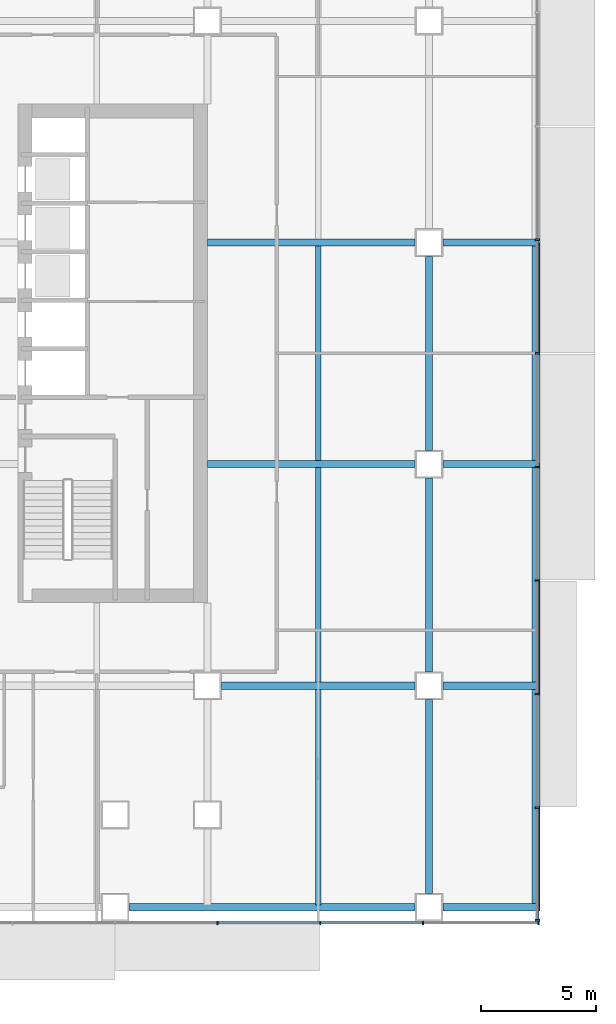
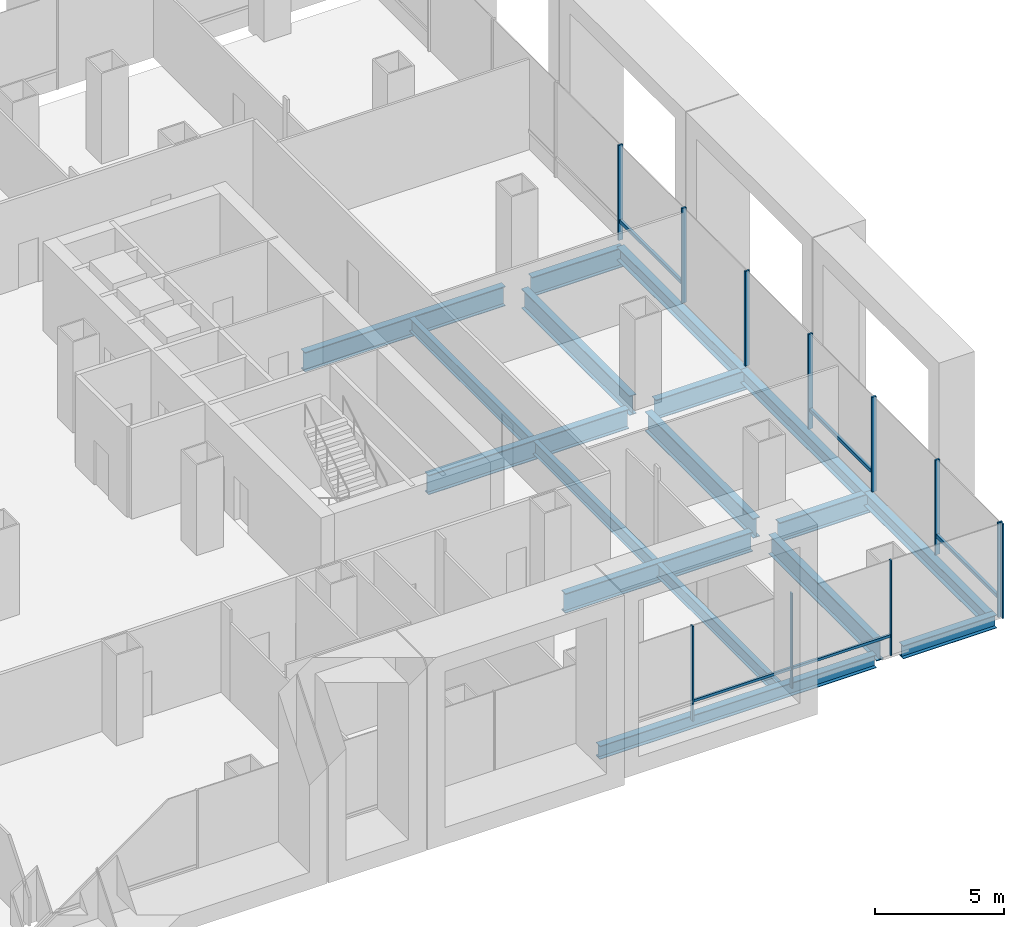
# One storey, part 10 of 23: 17 beams, 16 members, 2 elements without a shape of their own.
"""IFC4 building model written with IfcOpenShell, lengths in metres."""

from ifc_helpers import new_model, si_unit, direction, frame, origin, origin_2d, place, context, subcontext, project, spatial, rectangle, i_section, extrude, material, material_profile, profile_set, type_object, element, aggregate, save


model = new_model("IFC4")

# Units and contexts
model_context = context("Model", 3, precision=1e-05, world=origin(), true_north=direction((0.0, 1.0)))
body_context = subcontext(model_context, "Body", "Model", "MODEL_VIEW")
ifc_project = project(units=[si_unit("LENGTHUNIT", "METRE"), si_unit("AREAUNIT", "SQUARE_METRE"), si_unit("VOLUMEUNIT", "CUBIC_METRE"), si_unit("PLANEANGLEUNIT", "RADIAN"), si_unit("MASSUNIT", "GRAM", prefix="KILO")], contexts=[model_context])

# Site, building, storey
site_placement = place(None, origin())
site = spatial("IfcSite", under=ifc_project, at=site_placement, CompositionType="ELEMENT")
building_placement = place(site_placement, origin())
building = spatial("IfcBuilding", under=site, at=building_placement, Name="Cobrizo Arcos Hotel Tower", CompositionType="ELEMENT")
storey_placement = place(building_placement, frame((0.0, 0.0, 15.5)))
storey = spatial("IfcBuildingStorey", under=building, at=storey_placement, Name="L02", CompositionType="ELEMENT", Elevation=15.5)

# Curtain wall, members
ifc_material_1 = material(Name="Aluminium 6063-T6 anodised bronze", Category="aluminium")
curtain_wall_type_1 = type_object("IfcCurtainWallType", Name="CW-A guest facade", PredefinedType="NOTDEFINED", material=ifc_material_1)
curtain_wall_1_placement = place(storey_placement, origin())
curtain_wall_1 = element("IfcCurtainWall", 1, at=curtain_wall_1_placement, inside=storey, type_object=curtain_wall_type_1, Name="CW-A L02 S face", PredefinedType="NOTDEFINED")
ifc_material_profile_1 = material_profile(ifc_material_1, rectangle(XDim=0.14990234375, YDim=0.06005859375, at=origin_2d()), Name="CW-A mullion 150x60")
ifc_profile_set_1 = profile_set([ifc_material_profile_1], Name="Aluminium 6063-T6 anodised bronze")
member_type_1 = type_object("IfcMemberType", Name="CW-A mullion 150x60", PredefinedType="MULLION", material=ifc_profile_set_1)
member_1_placement = place(storey_placement, frame((24.4443359375, -24.675048828125, 0.0), z_axis=(0.0, 0.0, 1.0), x_axis=(0.0, -1.0, 0.0)))
member_1 = element("IfcMember", 2, at=member_1_placement, type_object=member_type_1, Name="CW-A mullion 15", PredefinedType="MULLION", context=body_context, shape_type="SweptSolid", body=[
    extrude(rectangle(XDim=0.14990234375, YDim=0.06005859375, at=origin_2d()), origin(), (0.0, 0.0, 1.0), 4.5),
])
member_2_placement = place(storey_placement, frame((28.888916015625, -24.675048828125, 0.0), z_axis=(0.0, 0.0, 1.0), x_axis=(0.0, -1.0, 0.0)))
member_2 = element("IfcMember", 3, at=member_2_placement, type_object=member_type_1, Name="CW-A mullion 16", PredefinedType="MULLION", context=body_context, shape_type="SweptSolid", body=[
    extrude(rectangle(XDim=0.14990234375, YDim=0.06005859375, at=origin_2d()), origin(), (0.0, 0.0, 1.0), 4.5),
])
member_3_placement = place(storey_placement, frame((33.333251953125, -24.675048828125, 0.0), z_axis=(0.0, 0.0, 1.0), x_axis=(0.0, -1.0, 0.0)))
member_3 = element("IfcMember", 4, at=member_3_placement, type_object=member_type_1, Name="CW-A mullion 17", PredefinedType="MULLION", context=body_context, shape_type="SweptSolid", body=[
    extrude(rectangle(XDim=0.14990234375, YDim=0.06005859375, at=origin_2d()), origin(), (0.0, 0.0, 1.0), 4.5),
])
member_4_placement = place(storey_placement, frame((38.344970703125, -24.675048828125, 0.0), z_axis=(0.0, 0.0, 1.0), x_axis=(0.0, -1.0, 0.0)))
member_4 = element("IfcMember", 5, at=member_4_placement, type_object=member_type_1, Name="CW-A mullion 18", PredefinedType="MULLION", context=body_context, shape_type="SweptSolid", body=[
    extrude(rectangle(XDim=0.14990234375, YDim=0.06005859375, at=origin_2d()), origin(), (0.0, 0.0, 1.0), 4.5),
])
ifc_material_profile_2 = material_profile(ifc_material_1, rectangle(XDim=0.10009765625, YDim=0.1201171875, at=origin_2d()), Name="CW-A transom 120x100")
ifc_profile_set_2 = profile_set([ifc_material_profile_2], Name="Aluminium 6063-T6 anodised bronze")
member_type_2 = type_object("IfcMemberType", Name="CW-A transom 120x100", PredefinedType="USERDEFINED", material=ifc_profile_set_2)
member_5_placement = place(storey_placement, frame((24.474365234375, -24.675048828125, 0.929931640625), z_axis=(1.0, 0.0, 0.0), x_axis=(0.0, 1.0, 0.0)))
member_5 = element("IfcMember", 6, at=member_5_placement, type_object=member_type_2, Name="CW-A transom 158", ObjectType="TRANSOM", PredefinedType="USERDEFINED", context=body_context, shape_type="SweptSolid", body=[
    extrude(rectangle(XDim=0.10009765625, YDim=0.1201171875, at=origin_2d()), origin(), (0.0, 0.0, 1.0), 4.384521484375),
])
member_6_placement = place(storey_placement, frame((28.9189453125, -24.675048828125, 0.929931640625), z_axis=(1.0, 0.0, 0.0), x_axis=(0.0, 1.0, 0.0)))
member_6 = element("IfcMember", 7, at=member_6_placement, type_object=member_type_2, Name="CW-A transom 159", ObjectType="TRANSOM", PredefinedType="USERDEFINED", context=body_context, shape_type="SweptSolid", body=[
    extrude(rectangle(XDim=0.10009765625, YDim=0.1201171875, at=origin_2d()), origin(), (0.0, 0.0, 1.0), 4.38427734375),
])
aggregate(curtain_wall_1, [member_1, member_2, member_3, member_4, member_5, member_6])

curtain_wall_type_2 = type_object("IfcCurtainWallType", Name="CW-B podium glazing", PredefinedType="NOTDEFINED", material=ifc_material_1)
curtain_wall_2_placement = place(storey_placement, origin())
curtain_wall_2 = element("IfcCurtainWall", 8, at=curtain_wall_2_placement, inside=storey, type_object=curtain_wall_type_2, Name="CW-B L02 E face", PredefinedType="NOTDEFINED")
ifc_material_profile_3 = material_profile(ifc_material_1, rectangle(XDim=0.199951171875, YDim=0.080078125, at=origin_2d()), Name="CW-B mullion 200x80")
ifc_profile_set_3 = profile_set([ifc_material_profile_3], Name="Aluminium 6063-T6 anodised bronze")
member_type_3 = type_object("IfcMemberType", Name="CW-B mullion 200x80", PredefinedType="MULLION", material=ifc_profile_set_3)
member_7_placement = place(storey_placement, frame((38.300048828125, -24.56005859375, 0.0), z_axis=(0.0, 0.0, 1.0), x_axis=(1.0, 0.0, 0.0)))
member_7 = element("IfcMember", 9, at=member_7_placement, type_object=member_type_3, Name="CW-B mullion 1", PredefinedType="MULLION", context=body_context, shape_type="SweptSolid", body=[
    extrude(rectangle(XDim=0.199951171875, YDim=0.080078125, at=origin_2d()), origin(), (0.0, 0.0, 1.0), 4.5),
])
member_8_placement = place(storey_placement, frame((38.300048828125, -19.679931640625, 0.0), z_axis=(0.0, 0.0, 1.0), x_axis=(1.0, 0.0, 0.0)))
member_8 = element("IfcMember", 10, at=member_8_placement, type_object=member_type_3, Name="CW-B mullion 2", PredefinedType="MULLION", context=body_context, shape_type="SweptSolid", body=[
    extrude(rectangle(XDim=0.199951171875, YDim=0.080078125, at=origin_2d()), origin(), (0.0, 0.0, 1.0), 4.5),
])
member_9_placement = place(storey_placement, frame((38.300048828125, -14.760009765625, 0.0), z_axis=(0.0, 0.0, 1.0), x_axis=(1.0, 0.0, 0.0)))
member_9 = element("IfcMember", 11, at=member_9_placement, type_object=member_type_3, Name="CW-B mullion 3", PredefinedType="MULLION", context=body_context, shape_type="SweptSolid", body=[
    extrude(rectangle(XDim=0.199951171875, YDim=0.080078125, at=origin_2d()), origin(), (0.0, 0.0, 1.0), 4.5),
])
member_10_placement = place(storey_placement, frame((38.300048828125, -9.840087890625, 0.0), z_axis=(0.0, 0.0, 1.0), x_axis=(1.0, 0.0, 0.0)))
member_10 = element("IfcMember", 12, at=member_10_placement, type_object=member_type_3, Name="CW-B mullion 4", PredefinedType="MULLION", context=body_context, shape_type="SweptSolid", body=[
    extrude(rectangle(XDim=0.199951171875, YDim=0.080078125, at=origin_2d()), origin(), (0.0, 0.0, 1.0), 4.5),
])
member_11_placement = place(storey_placement, frame((38.300048828125, -4.919921875, 0.0), z_axis=(0.0, 0.0, 1.0), x_axis=(1.0, 0.0, 0.0)))
member_11 = element("IfcMember", 13, at=member_11_placement, type_object=member_type_3, Name="CW-B mullion 5", PredefinedType="MULLION", context=body_context, shape_type="SweptSolid", body=[
    extrude(rectangle(XDim=0.199951171875, YDim=0.080078125, at=origin_2d()), origin(), (0.0, 0.0, 1.0), 4.5),
])
member_12_placement = place(storey_placement, frame((38.300048828125, 0.0, 0.0), z_axis=(0.0, 0.0, 1.0), x_axis=(1.0, 0.0, 0.0)))
member_12 = element("IfcMember", 14, at=member_12_placement, type_object=member_type_3, Name="CW-B mullion 6", PredefinedType="MULLION", context=body_context, shape_type="SweptSolid", body=[
    extrude(rectangle(XDim=0.199951171875, YDim=0.080078125, at=origin_2d()), origin(), (0.0, 0.0, 1.0), 4.5),
])
member_13_placement = place(storey_placement, frame((38.300048828125, 4.919921875, 0.0), z_axis=(0.0, 0.0, 1.0), x_axis=(1.0, 0.0, 0.0)))
member_13 = element("IfcMember", 15, at=member_13_placement, type_object=member_type_3, Name="CW-B mullion 7", PredefinedType="MULLION", context=body_context, shape_type="SweptSolid", body=[
    extrude(rectangle(XDim=0.199951171875, YDim=0.080078125, at=origin_2d()), origin(), (0.0, 0.0, 1.0), 4.5),
])
ifc_material_profile_4 = material_profile(ifc_material_1, rectangle(XDim=0.1201171875, YDim=0.159912109375, at=origin_2d()), Name="CW-B transom 160x120")
ifc_profile_set_4 = profile_set([ifc_material_profile_4], Name="Aluminium 6063-T6 anodised bronze")
member_type_4 = type_object("IfcMemberType", Name="CW-B transom 160x120", PredefinedType="USERDEFINED", material=ifc_profile_set_4)
member_14_placement = place(storey_placement, frame((38.300048828125, -24.52001953125, 0.89990234375), z_axis=(0.0, 1.0, 0.0), x_axis=(-1.0, 0.0, 0.0)))
member_14 = element("IfcMember", 16, at=member_14_placement, type_object=member_type_4, Name="CW-B transom 107", ObjectType="TRANSOM", PredefinedType="USERDEFINED", context=body_context, shape_type="SweptSolid", body=[
    extrude(rectangle(XDim=0.1201171875, YDim=0.159912109375, at=origin_2d()), origin(), (0.0, 0.0, 1.0), 4.800048828125),
])
member_15_placement = place(storey_placement, frame((38.300048828125, -14.719970703125, 0.89990234375), z_axis=(0.0, 1.0, 0.0), x_axis=(-1.0, 0.0, 0.0)))
member_15 = element("IfcMember", 17, at=member_15_placement, type_object=member_type_4, Name="CW-B transom 109", ObjectType="TRANSOM", PredefinedType="USERDEFINED", context=body_context, shape_type="SweptSolid", body=[
    extrude(rectangle(XDim=0.1201171875, YDim=0.159912109375, at=origin_2d()), origin(), (0.0, 0.0, 1.0), 4.840087890625),
])
member_16_placement = place(storey_placement, frame((38.300048828125, 0.0400390625, 0.89990234375), z_axis=(0.0, 1.0, 0.0), x_axis=(-1.0, 0.0, 0.0)))
member_16 = element("IfcMember", 18, at=member_16_placement, type_object=member_type_4, Name="CW-B transom 112", ObjectType="TRANSOM", PredefinedType="USERDEFINED", context=body_context, shape_type="SweptSolid", body=[
    extrude(rectangle(XDim=0.1201171875, YDim=0.159912109375, at=origin_2d()), origin(), (0.0, 0.0, 1.0), 4.83984375),
])
aggregate(curtain_wall_2, [member_7, member_8, member_9, member_10, member_11, member_12, member_13, member_14, member_15, member_16])

# Beams
ifc_material_2 = material(Name="Steel ASTM A992 Grade 50", Category="steel")
ifc_material_profile_5 = material_profile(ifc_material_2, i_section(OverallWidth=0.32763671875, OverallDepth=0.622314453125, WebThickness=0.015380859375, FlangeThickness=0.0244140625, at=origin_2d()), Name="W24X131")
ifc_profile_set_5 = profile_set([ifc_material_profile_5], Name="Steel ASTM A992 Grade 50")
beam_type_1 = type_object("IfcBeamType", Name="W24X131 edge beam", PredefinedType="BEAM", material=ifc_profile_set_5)
beam_1_placement = place(storey_placement, frame((38.236083984375, -24.0, -0.510986328125), z_axis=(0.0, 1.0, 0.0), x_axis=(-1.0, 0.0, 0.0)))
element("IfcBeam", 19, at=beam_1_placement, inside=storey, type_object=beam_type_1, Name="Edge beam EB1, L02, no. 001", PredefinedType="BEAM", context=body_context, shape_type="SweptSolid", body=[
    extrude(i_section(OverallWidth=0.32763671875, OverallDepth=0.622314453125, WebThickness=0.015380859375, FlangeThickness=0.0244140625, at=origin_2d()), origin(), (0.0, 0.0, 1.0), 9.60009765625),
])
beam_2_placement = place(storey_placement, frame((38.236083984375, -14.39990234375, -0.510986328125), z_axis=(0.0, 1.0, 0.0), x_axis=(-1.0, 0.0, 0.0)))
element("IfcBeam", 20, at=beam_2_placement, inside=storey, type_object=beam_type_1, Name="Edge beam EB1, L02, no. 002", PredefinedType="BEAM", context=body_context, shape_type="SweptSolid", body=[
    extrude(i_section(OverallWidth=0.32763671875, OverallDepth=0.622314453125, WebThickness=0.015380859375, FlangeThickness=0.0244140625, at=origin_2d()), origin(), (0.0, 0.0, 1.0), 9.599853515625),
])
beam_3_placement = place(storey_placement, frame((38.236083984375, -4.800048828125, -0.510986328125), z_axis=(0.0, 1.0, 0.0), x_axis=(-1.0, 0.0, 0.0)))
element("IfcBeam", 21, at=beam_3_placement, inside=storey, type_object=beam_type_1, Name="Edge beam EB1, L02, no. 003", PredefinedType="BEAM", context=body_context, shape_type="SweptSolid", body=[
    extrude(i_section(OverallWidth=0.32763671875, OverallDepth=0.622314453125, WebThickness=0.015380859375, FlangeThickness=0.0244140625, at=origin_2d()), origin(), (0.0, 0.0, 1.0), 9.60009765625),
])
beam_4_placement = place(storey_placement, frame((34.199951171875, -24.0, -0.510986328125), z_axis=(1.0, 0.0, 0.0), x_axis=(0.0, 1.0, 0.0)))
element("IfcBeam", 22, at=beam_4_placement, inside=storey, type_object=beam_type_1, Name="Edge beam EB1, L02, no. 014", PredefinedType="BEAM", context=body_context, shape_type="SweptSolid", body=[
    extrude(i_section(OverallWidth=0.32763671875, OverallDepth=0.622314453125, WebThickness=0.015380859375, FlangeThickness=0.0244140625, at=origin_2d()), origin(), (0.0, 0.0, 1.0), 4.199951171875),
])
ifc_material_profile_6 = material_profile(ifc_material_2, i_section(OverallWidth=0.32763671875, OverallDepth=0.622314453125, WebThickness=0.015380859375, FlangeThickness=0.0244140625, at=origin_2d()), Name="W24X131")
ifc_profile_set_6 = profile_set([ifc_material_profile_6], Name="Steel ASTM A992 Grade 50")
beam_type_2 = type_object("IfcBeamType", Name="W24X131 spandrel", PredefinedType="SPANDREL", material=ifc_profile_set_6)
beam_5_placement = place(storey_placement, frame((20.60009765625, -24.0, -0.510986328125), z_axis=(1.0, 0.0, 0.0), x_axis=(0.0, 1.0, 0.0)))
element("IfcBeam", 23, at=beam_5_placement, inside=storey, type_object=beam_type_2, Name="Spandrel beam W24X131, L02, no. 014", PredefinedType="SPANDREL", context=body_context, shape_type="SweptSolid", body=[
    extrude(i_section(OverallWidth=0.32763671875, OverallDepth=0.622314453125, WebThickness=0.015380859375, FlangeThickness=0.0244140625, at=origin_2d()), origin(), (0.0, 0.0, 1.0), 12.39990234375),
])
ifc_material_profile_7 = material_profile(ifc_material_2, i_section(OverallWidth=0.23046875, OverallDepth=0.6171875, WebThickness=0.01318359375, FlangeThickness=0.022216796875, at=origin_2d()), Name="W24X94")
ifc_profile_set_7 = profile_set([ifc_material_profile_7], Name="Steel ASTM A992 Grade 50")
beam_type_3 = type_object("IfcBeamType", Name="W24X94 podium joist", PredefinedType="JOIST", material=ifc_profile_set_7)
beam_6_placement = place(storey_placement, frame((28.800048828125, -23.909912109375, -0.508544921875), z_axis=(0.0, 1.0, 0.0), x_axis=(-1.0, 0.0, 0.0)))
element("IfcBeam", 24, at=beam_6_placement, inside=storey, type_object=beam_type_3, Name="Podium joist PJ1, L02, no. 029", PredefinedType="JOIST", context=body_context, shape_type="SweptSolid", body=[
    extrude(i_section(OverallWidth=0.23046875, OverallDepth=0.6171875, WebThickness=0.01318359375, FlangeThickness=0.022216796875, at=origin_2d()), origin(), (0.0, 0.0, 1.0), 9.356201171875),
])
beam_7_placement = place(storey_placement, frame((28.800048828125, -14.246337890625, -0.508544921875), z_axis=(0.0, 1.0, 0.0), x_axis=(-1.0, 0.0, 0.0)))
element("IfcBeam", 25, at=beam_7_placement, inside=storey, type_object=beam_type_3, Name="Podium joist PJ1, L02, no. 030", PredefinedType="JOIST", context=body_context, shape_type="SweptSolid", body=[
    extrude(i_section(OverallWidth=0.23046875, OverallDepth=0.6171875, WebThickness=0.01318359375, FlangeThickness=0.022216796875, at=origin_2d()), origin(), (0.0, 0.0, 1.0), 9.292724609375),
])
beam_8_placement = place(storey_placement, frame((28.800048828125, -4.646240234375, -0.508544921875), z_axis=(0.0, 1.0, 0.0), x_axis=(-1.0, 0.0, 0.0)))
element("IfcBeam", 26, at=beam_8_placement, inside=storey, type_object=beam_type_3, Name="Podium joist PJ1, L02, no. 031", PredefinedType="JOIST", context=body_context, shape_type="SweptSolid", body=[
    extrude(i_section(OverallWidth=0.23046875, OverallDepth=0.6171875, WebThickness=0.01318359375, FlangeThickness=0.022216796875, at=origin_2d()), origin(), (0.0, 0.0, 1.0), 9.29248046875),
])
ifc_material_profile_8 = material_profile(ifc_material_2, i_section(OverallWidth=0.307373046875, OverallDepth=0.927001953125, WebThickness=0.01953125, FlangeThickness=0.031982421875, at=origin_2d()), Name="W36X194")
ifc_profile_set_8 = profile_set([ifc_material_profile_8], Name="Steel ASTM A992 Grade 50")
beam_type_4 = type_object("IfcBeamType", Name="W36X194 podium girder", PredefinedType="BEAM", material=ifc_profile_set_8)
beam_9_placement = place(storey_placement, frame((24.60009765625, -14.39990234375, -0.66357421875), z_axis=(1.0, 0.0, 0.0), x_axis=(0.0, 1.0, 0.0)))
element("IfcBeam", 27, at=beam_9_placement, inside=storey, type_object=beam_type_4, Name="Podium girder PG1, L02, no. 008", PredefinedType="BEAM", context=body_context, shape_type="SweptSolid", body=[
    extrude(i_section(OverallWidth=0.307373046875, OverallDepth=0.927001953125, WebThickness=0.01953125, FlangeThickness=0.031982421875, at=origin_2d()), origin(), (0.0, 0.0, 1.0), 8.39990234375),
])
beam_10_placement = place(storey_placement, frame((34.199951171875, -14.39990234375, -0.66357421875), z_axis=(1.0, 0.0, 0.0), x_axis=(0.0, 1.0, 0.0)))
element("IfcBeam", 28, at=beam_10_placement, inside=storey, type_object=beam_type_4, Name="Podium girder PG1, L02, no. 009", PredefinedType="BEAM", context=body_context, shape_type="SweptSolid", body=[
    extrude(i_section(OverallWidth=0.307373046875, OverallDepth=0.927001953125, WebThickness=0.01953125, FlangeThickness=0.031982421875, at=origin_2d()), origin(), (0.0, 0.0, 1.0), 4.110107421875),
])
beam_11_placement = place(storey_placement, frame((24.010009765625, -4.800048828125, -0.66357421875), z_axis=(1.0, 0.0, 0.0), x_axis=(0.0, 1.0, 0.0)))
element("IfcBeam", 29, at=beam_11_placement, inside=storey, type_object=beam_type_4, Name="Podium girder PG1, L02, no. 016", PredefinedType="BEAM", context=body_context, shape_type="SweptSolid", body=[
    extrude(i_section(OverallWidth=0.307373046875, OverallDepth=0.927001953125, WebThickness=0.01953125, FlangeThickness=0.031982421875, at=origin_2d()), origin(), (0.0, 0.0, 1.0), 8.989990234375),
])
beam_12_placement = place(storey_placement, frame((34.199951171875, -4.800048828125, -0.66357421875), z_axis=(1.0, 0.0, 0.0), x_axis=(0.0, 1.0, 0.0)))
element("IfcBeam", 30, at=beam_12_placement, inside=storey, type_object=beam_type_4, Name="Podium girder PG1, L02, no. 017", PredefinedType="BEAM", context=body_context, shape_type="SweptSolid", body=[
    extrude(i_section(OverallWidth=0.307373046875, OverallDepth=0.927001953125, WebThickness=0.01953125, FlangeThickness=0.031982421875, at=origin_2d()), origin(), (0.0, 0.0, 1.0), 4.110107421875),
])
beam_13_placement = place(storey_placement, frame((24.010009765625, 4.800048828125, -0.66357421875), z_axis=(1.0, 0.0, 0.0), x_axis=(0.0, 1.0, 0.0)))
element("IfcBeam", 31, at=beam_13_placement, inside=storey, type_object=beam_type_4, Name="Podium girder PG1, L02, no. 024", PredefinedType="BEAM", context=body_context, shape_type="SweptSolid", body=[
    extrude(i_section(OverallWidth=0.307373046875, OverallDepth=0.927001953125, WebThickness=0.01953125, FlangeThickness=0.031982421875, at=origin_2d()), origin(), (0.0, 0.0, 1.0), 8.989990234375),
])
beam_14_placement = place(storey_placement, frame((34.199951171875, 4.800048828125, -0.66357421875), z_axis=(1.0, 0.0, 0.0), x_axis=(0.0, 1.0, 0.0)))
element("IfcBeam", 32, at=beam_14_placement, inside=storey, type_object=beam_type_4, Name="Podium girder PG1, L02, no. 025", PredefinedType="BEAM", context=body_context, shape_type="SweptSolid", body=[
    extrude(i_section(OverallWidth=0.307373046875, OverallDepth=0.927001953125, WebThickness=0.01953125, FlangeThickness=0.031982421875, at=origin_2d()), origin(), (0.0, 0.0, 1.0), 4.110107421875),
])
beam_15_placement = place(storey_placement, frame((33.60009765625, -23.39990234375, -0.66357421875), z_axis=(0.0, 1.0, 0.0), x_axis=(-1.0, 0.0, 0.0)))
element("IfcBeam", 33, at=beam_15_placement, inside=storey, type_object=beam_type_4, Name="Podium girder PG1, L02, no. 072", PredefinedType="BEAM", context=body_context, shape_type="SweptSolid", body=[
    extrude(i_section(OverallWidth=0.307373046875, OverallDepth=0.927001953125, WebThickness=0.01953125, FlangeThickness=0.031982421875, at=origin_2d()), origin(), (0.0, 0.0, 1.0), 8.39990234375),
])
beam_16_placement = place(storey_placement, frame((33.60009765625, -13.800048828125, -0.66357421875), z_axis=(0.0, 1.0, 0.0), x_axis=(-1.0, 0.0, 0.0)))
element("IfcBeam", 34, at=beam_16_placement, inside=storey, type_object=beam_type_4, Name="Podium girder PG1, L02, no. 073", PredefinedType="BEAM", context=body_context, shape_type="SweptSolid", body=[
    extrude(i_section(OverallWidth=0.307373046875, OverallDepth=0.927001953125, WebThickness=0.01953125, FlangeThickness=0.031982421875, at=origin_2d()), origin(), (0.0, 0.0, 1.0), 8.400146484375),
])
beam_17_placement = place(storey_placement, frame((33.60009765625, -4.199951171875, -0.66357421875), z_axis=(0.0, 1.0, 0.0), x_axis=(-1.0, 0.0, 0.0)))
element("IfcBeam", 35, at=beam_17_placement, inside=storey, type_object=beam_type_4, Name="Podium girder PG1, L02, no. 074", PredefinedType="BEAM", context=body_context, shape_type="SweptSolid", body=[
    extrude(i_section(OverallWidth=0.307373046875, OverallDepth=0.927001953125, WebThickness=0.01953125, FlangeThickness=0.031982421875, at=origin_2d()), origin(), (0.0, 0.0, 1.0), 8.39990234375),
])

save(model, "model.ifc")
